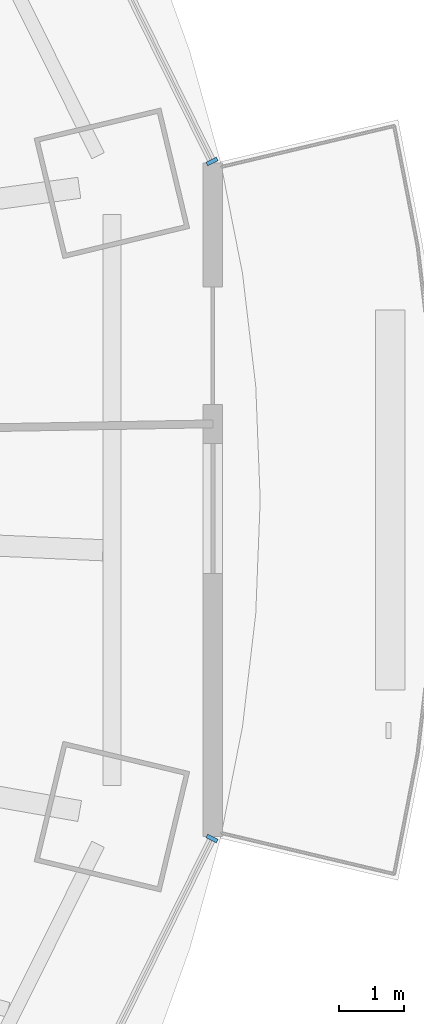
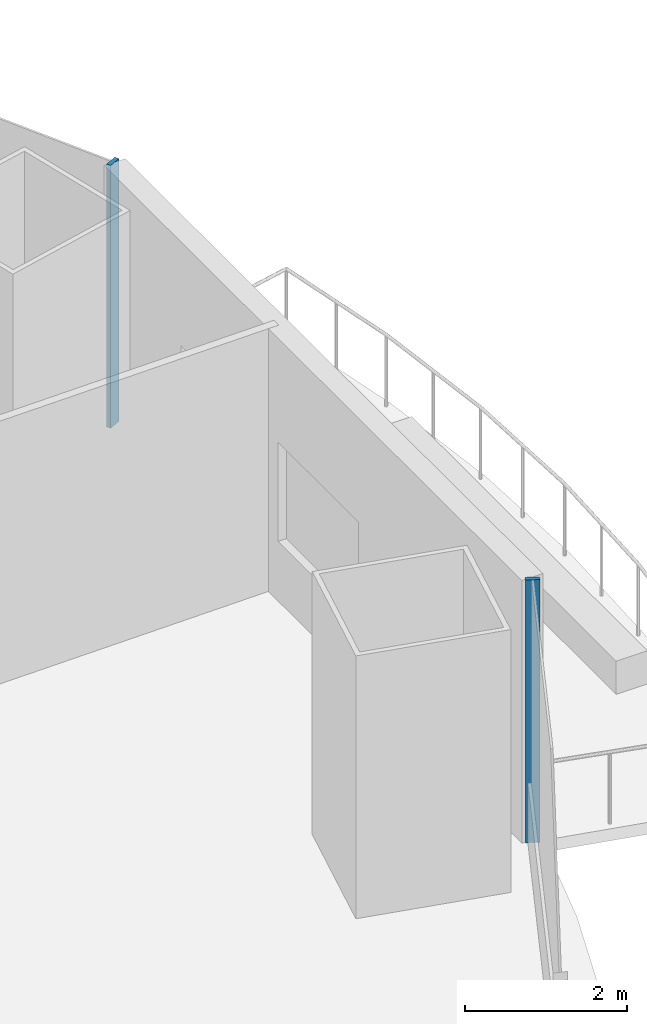
# One storey, part 10 of 21: 2 members, 2 elements without a shape of their own.
"""IFC4 building model written with IfcOpenShell, lengths in metres."""

from ifc_helpers import new_model, si_unit, direction, frame, origin, origin_2d, place, context, subcontext, project, spatial, rectangle, extrude, material, material_profile, profile_set, type_object, element, aggregate, save


model = new_model("IFC4")

# Units and contexts
model_context = context("Model", 3, precision=1e-05, world=origin(), true_north=direction((0.0, 1.0)))
body_context = subcontext(model_context, "Body", "Model", "MODEL_VIEW")
ifc_project = project(units=[si_unit("LENGTHUNIT", "METRE"), si_unit("AREAUNIT", "SQUARE_METRE"), si_unit("VOLUMEUNIT", "CUBIC_METRE"), si_unit("PLANEANGLEUNIT", "RADIAN"), si_unit("MASSUNIT", "GRAM", prefix="KILO")], contexts=[model_context])

# Site, building, storey
site_placement = place(None, origin())
site = spatial("IfcSite", under=ifc_project, at=site_placement, CompositionType="ELEMENT")
building_placement = place(site_placement, origin())
building = spatial("IfcBuilding", under=site, at=building_placement, Name="Marenthal Gate Tower", CompositionType="ELEMENT")
storey_placement = place(building_placement, frame((0.0, 0.0, 206.699951171875)))
storey = spatial("IfcBuildingStorey", under=building, at=storey_placement, Name="L45", CompositionType="ELEMENT", Elevation=206.699951171875)

# Curtain wall, member
ifc_material_1 = material(Name="Aluminium and glass", Category="aluminium")
curtain_wall_type = type_object("IfcCurtainWallType", Name="Curtain wall typical mid", PredefinedType="NOTDEFINED", material=ifc_material_1)
curtain_wall_1_placement = place(storey_placement, origin())
curtain_wall_1 = element("IfcCurtainWall", 1, at=curtain_wall_1_placement, inside=storey, type_object=curtain_wall_type, Name="Curtain wall L45 bay 1", PredefinedType="NOTDEFINED")
ifc_material_2 = material(Name="Aluminium", Category="aluminium")
ifc_material_profile = material_profile(ifc_material_2, rectangle(XDim=0.179931640625, YDim=0.06005859375, at=origin_2d()), Name="60x180 aluminium mullion")
ifc_profile_set = profile_set([ifc_material_profile], Name="Aluminium")
member_type = type_object("IfcMemberType", Name="Mullion 60x180 typical mid", PredefinedType="MULLION", material=ifc_profile_set)
member_1_placement = place(storey_placement, frame((32.752197265625, 4.595703125, 0.0), z_axis=(0.0, 0.0, 1.0), x_axis=(-0.896715617309, -0.442607164057, 0.0)))
member_1 = element("IfcMember", 2, at=member_1_placement, type_object=member_type, Name="Mullion L45 bay 1.1", PredefinedType="MULLION", context=body_context, shape_type="SweptSolid", body=[
    extrude(rectangle(XDim=0.179931640625, YDim=0.06005859375, at=origin_2d()), origin(), (0.0, 0.0, 1.0), 3.969970703125),
])
aggregate(curtain_wall_1, [member_1])

curtain_wall_2_placement = place(storey_placement, origin())
curtain_wall_2 = element("IfcCurtainWall", 3, at=curtain_wall_2_placement, inside=storey, type_object=curtain_wall_type, Name="Curtain wall L45 bay 15", PredefinedType="NOTDEFINED")
member_2_placement = place(storey_placement, frame((32.752197265625, -5.7958984375, 0.0), z_axis=(0.0, 0.0, 1.0), x_axis=(-0.896715617309, 0.442607164057, 0.0)))
member_2 = element("IfcMember", 4, at=member_2_placement, type_object=member_type, Name="Mullion L45 bay 15.3", PredefinedType="MULLION", context=body_context, shape_type="SweptSolid", body=[
    extrude(rectangle(XDim=0.179931640625, YDim=0.06005859375, at=origin_2d()), origin(), (0.0, 0.0, 1.0), 3.969970703125),
])
aggregate(curtain_wall_2, [member_2])

save(model, "model.ifc")
